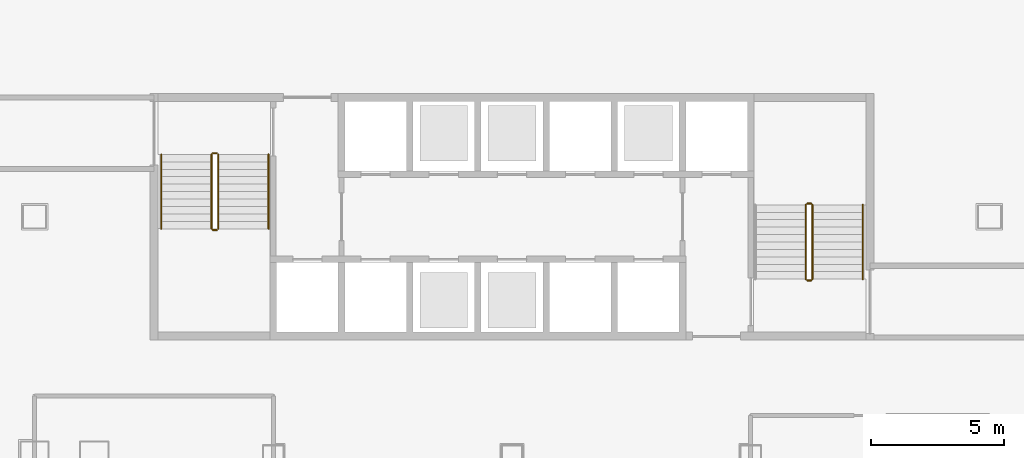
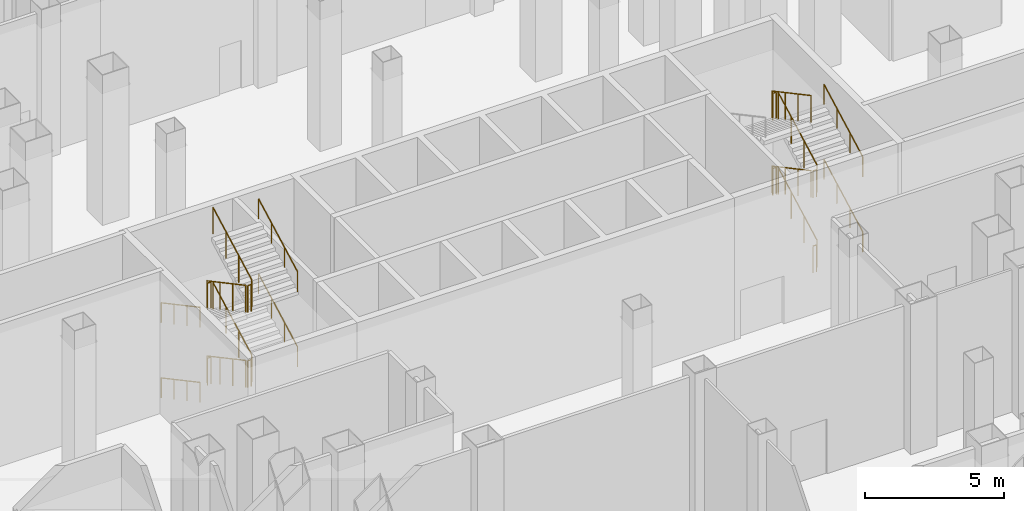
# One storey, part 33 of 38: 22 railings.
"""IFC4 building model written with IfcOpenShell, lengths in metres."""

from ifc_helpers import new_model, si_unit, direction, frame, origin, origin_2d, place, context, subcontext, project, spatial, circle, extrude, material, type_object, element, save


model = new_model("IFC4")

# Units and contexts
model_context = context("Model", 3, precision=1e-05, world=origin(), true_north=direction((0.0, 1.0)))
body_context = subcontext(model_context, "Body", "Model", "MODEL_VIEW")
ifc_project = project(units=[si_unit("LENGTHUNIT", "METRE"), si_unit("AREAUNIT", "SQUARE_METRE"), si_unit("VOLUMEUNIT", "CUBIC_METRE"), si_unit("PLANEANGLEUNIT", "RADIAN"), si_unit("MASSUNIT", "GRAM", prefix="KILO")], contexts=[model_context])

# Site, building, storey
site_placement = place(None, origin())
site = spatial("IfcSite", under=ifc_project, at=site_placement, CompositionType="ELEMENT")
building_placement = place(site_placement, origin())
building = spatial("IfcBuilding", under=site, at=building_placement, Name="Caravel Reach Hotel and Residences", CompositionType="ELEMENT")
storey_placement = place(building_placement, origin())
storey = spatial("IfcBuildingStorey", under=building, at=storey_placement, Name="L00", CompositionType="ELEMENT", Elevation=0.0)

# Railings
ifc_material_1 = material(Name="Steel balustrade with glass infill", Category="steel")
railing_type_1 = type_object("IfcRailingType", Name="Guard 1200", PredefinedType="GUARDRAIL", material=ifc_material_1)
railing_1_placement = place(storey_placement, frame((20.175048828125, 29.35009765625, 0.14990234375)))
element("IfcRailing", 1, at=railing_1_placement, inside=storey, type_object=railing_type_1, Name="L00 ST-A stair guard 1", PredefinedType="GUARDRAIL", context=body_context, shape_type="SweptSolid", body=[
    extrude(circle(Radius=0.02392578125, at=origin_2d()), frame((0.0, 0.0, 1.17578125), z_axis=(0.0, -0.881483397762, 0.472215014025), x_axis=(1.0, 0.0, 0.0)), (0.0, 0.0, 1.0), 3.176513671875),
    extrude(circle(Radius=0.02099609375, at=origin_2d()), origin(), (0.0, 0.0, 1.0), 1.15185546875),
    extrude(circle(Radius=0.02099609375, at=origin_2d()), frame((0.0, -0.933349609375, 0.5)), (0.0, 0.0, 1.0), 1.15185546875),
    extrude(circle(Radius=0.02099609375, at=origin_2d()), frame((0.0, -1.86669921875, 1.0)), (0.0, 0.0, 1.0), 1.15185546875),
    extrude(circle(Radius=0.02099609375, at=origin_2d()), frame((0.0, -2.800048828125, 1.5)), (0.0, 0.0, 1.0), 1.15185546875),
])
railing_2_placement = place(storey_placement, frame((20.22509765625, 26.5, 1.64990234375)))
element("IfcRailing", 2, at=railing_2_placement, inside=storey, type_object=railing_type_1, Name="L00 ST-A stair guard 2", PredefinedType="GUARDRAIL", context=body_context, shape_type="SweptSolid", body=[
    extrude(circle(Radius=0.02392578125, at=origin_2d()), frame((0.0, 0.0, 1.17578125), z_axis=(1.0, 0.0, 0.0), x_axis=(0.0, 1.0, 0.0)), (0.0, 0.0, 1.0), 0.14990234375),
    extrude(circle(Radius=0.02099609375, at=origin_2d()), origin(), (0.0, 0.0, 1.0), 1.15185546875),
    extrude(circle(Radius=0.02099609375, at=origin_2d()), frame((0.14990234375, 0.0, 0.0)), (0.0, 0.0, 1.0), 1.15185546875),
])
railing_3_placement = place(storey_placement, frame((20.425048828125, 26.550048828125, 1.800048828125)))
element("IfcRailing", 3, at=railing_3_placement, inside=storey, type_object=railing_type_1, Name="L00 ST-A stair guard 3", PredefinedType="GUARDRAIL", context=body_context, shape_type="SweptSolid", body=[
    extrude(circle(Radius=0.02392578125, at=origin_2d()), frame((0.0, 0.0, 1.17578125), z_axis=(0.0, 0.881483397762, 0.472215014025), x_axis=(-1.0, 0.0, 0.0)), (0.0, 0.0, 1.0), 3.176513671875),
    extrude(circle(Radius=0.02099609375, at=origin_2d()), origin(), (0.0, 0.0, 1.0), 1.15185546875),
    extrude(circle(Radius=0.02099609375, at=origin_2d()), frame((0.0, 0.933349609375, 0.5)), (0.0, 0.0, 1.0), 1.15185546875),
    extrude(circle(Radius=0.02099609375, at=origin_2d()), frame((0.0, 1.86669921875, 1.0)), (0.0, 0.0, 1.0), 1.15185546875),
    extrude(circle(Radius=0.02099609375, at=origin_2d()), frame((0.0, 2.800048828125, 1.5)), (0.0, 0.0, 1.0), 1.15185546875),
])
railing_4_placement = place(storey_placement, frame((20.22509765625, 29.39990234375, 3.300048828125)))
element("IfcRailing", 4, at=railing_4_placement, inside=storey, type_object=railing_type_1, Name="L00 ST-A stair guard 4", PredefinedType="GUARDRAIL", context=body_context, shape_type="SweptSolid", body=[
    extrude(circle(Radius=0.02392578125, at=origin_2d()), frame((0.0, 0.0, 1.17578125), z_axis=(1.0, 0.0, 0.0), x_axis=(0.0, 1.0, 0.0)), (0.0, 0.0, 1.0), 0.14990234375),
    extrude(circle(Radius=0.02099609375, at=origin_2d()), origin(), (0.0, 0.0, 1.0), 1.15185546875),
    extrude(circle(Radius=0.02099609375, at=origin_2d()), frame((0.14990234375, 0.0, 0.0)), (0.0, 0.0, 1.0), 1.15185546875),
])
railing_5_placement = place(storey_placement, frame((20.175048828125, 29.35009765625, 3.449951171875)))
element("IfcRailing", 5, at=railing_5_placement, inside=storey, type_object=railing_type_1, Name="L00 ST-A stair guard 5", PredefinedType="GUARDRAIL", context=body_context, shape_type="SweptSolid", body=[
    extrude(circle(Radius=0.02392578125, at=origin_2d()), frame((0.0, 0.0, 1.17578125), z_axis=(0.0, -0.881483397762, 0.472215014025), x_axis=(1.0, 0.0, 0.0)), (0.0, 0.0, 1.0), 3.176513671875),
    extrude(circle(Radius=0.02099609375, at=origin_2d()), origin(), (0.0, 0.0, 1.0), 1.15185546875),
    extrude(circle(Radius=0.02099609375, at=origin_2d()), frame((0.0, -0.933349609375, 0.5)), (0.0, 0.0, 1.0), 1.15185546875),
    extrude(circle(Radius=0.02099609375, at=origin_2d()), frame((0.0, -1.86669921875, 1.0)), (0.0, 0.0, 1.0), 1.15185546875),
    extrude(circle(Radius=0.02099609375, at=origin_2d()), frame((0.0, -2.800048828125, 1.5)), (0.0, 0.0, 1.0), 1.15185546875),
])
railing_6_placement = place(storey_placement, frame((20.22509765625, 26.5, 4.949951171875)))
element("IfcRailing", 6, at=railing_6_placement, inside=storey, type_object=railing_type_1, Name="L00 ST-A stair guard 6", PredefinedType="GUARDRAIL", context=body_context, shape_type="SweptSolid", body=[
    extrude(circle(Radius=0.02392578125, at=origin_2d()), frame((0.0, 0.0, 1.17578125), z_axis=(1.0, 0.0, 0.0), x_axis=(0.0, 1.0, 0.0)), (0.0, 0.0, 1.0), 0.14990234375),
    extrude(circle(Radius=0.02099609375, at=origin_2d()), origin(), (0.0, 0.0, 1.0), 1.15185546875),
    extrude(circle(Radius=0.02099609375, at=origin_2d()), frame((0.14990234375, 0.0, 0.0)), (0.0, 0.0, 1.0), 1.15185546875),
])
railing_7_placement = place(storey_placement, frame((20.425048828125, 26.550048828125, 5.10009765625)))
element("IfcRailing", 7, at=railing_7_placement, inside=storey, type_object=railing_type_1, Name="L00 ST-A stair guard 7", PredefinedType="GUARDRAIL", context=body_context, shape_type="SweptSolid", body=[
    extrude(circle(Radius=0.02392578125, at=origin_2d()), frame((0.0, 0.0, 1.17578125), z_axis=(0.0, 0.881483397762, 0.472215014025), x_axis=(-1.0, 0.0, 0.0)), (0.0, 0.0, 1.0), 3.176513671875),
    extrude(circle(Radius=0.02099609375, at=origin_2d()), origin(), (0.0, 0.0, 1.0), 1.15185546875),
    extrude(circle(Radius=0.02099609375, at=origin_2d()), frame((0.0, 0.933349609375, 0.5)), (0.0, 0.0, 1.0), 1.15185546875),
    extrude(circle(Radius=0.02099609375, at=origin_2d()), frame((0.0, 1.86669921875, 1.0)), (0.0, 0.0, 1.0), 1.15185546875),
    extrude(circle(Radius=0.02099609375, at=origin_2d()), frame((0.0, 2.800048828125, 1.5)), (0.0, 0.0, 1.0), 1.15185546875),
])
railing_8_placement = place(storey_placement, frame((20.22509765625, 29.39990234375, 0.0)))
element("IfcRailing", 8, at=railing_8_placement, inside=storey, type_object=railing_type_1, Name="L00 ST-A stair guard 8", PredefinedType="GUARDRAIL", context=body_context, shape_type="SweptSolid", body=[
    extrude(circle(Radius=0.02392578125, at=origin_2d()), frame((0.0, 0.0, 1.17578125), z_axis=(1.0, 0.0, 0.0), x_axis=(0.0, 1.0, 0.0)), (0.0, 0.0, 1.0), 0.14990234375),
    extrude(circle(Radius=0.02099609375, at=origin_2d()), origin(), (0.0, 0.0, 1.0), 1.15185546875),
    extrude(circle(Radius=0.02099609375, at=origin_2d()), frame((0.14990234375, 0.0, 0.0)), (0.0, 0.0, 1.0), 1.15185546875),
])
railing_9_placement = place(storey_placement, frame((42.824951171875, 24.64990234375, 0.14990234375)))
element("IfcRailing", 9, at=railing_9_placement, inside=storey, type_object=railing_type_1, Name="L00 ST-B stair guard 1", PredefinedType="GUARDRAIL", context=body_context, shape_type="SweptSolid", body=[
    extrude(circle(Radius=0.02392578125, at=origin_2d()), frame((0.0, 0.0, 1.17578125), z_axis=(0.0, 0.881483397762, 0.472215014025), x_axis=(-1.0, 0.0, 0.0)), (0.0, 0.0, 1.0), 3.176513671875),
    extrude(circle(Radius=0.02099609375, at=origin_2d()), origin(), (0.0, 0.0, 1.0), 1.15185546875),
    extrude(circle(Radius=0.02099609375, at=origin_2d()), frame((0.0, 0.933349609375, 0.5)), (0.0, 0.0, 1.0), 1.15185546875),
    extrude(circle(Radius=0.02099609375, at=origin_2d()), frame((0.0, 1.86669921875, 1.0)), (0.0, 0.0, 1.0), 1.15185546875),
    extrude(circle(Radius=0.02099609375, at=origin_2d()), frame((0.0, 2.800048828125, 1.5)), (0.0, 0.0, 1.0), 1.15185546875),
])
railing_10_placement = place(storey_placement, frame((42.77490234375, 27.5, 1.64990234375)))
element("IfcRailing", 10, at=railing_10_placement, inside=storey, type_object=railing_type_1, Name="L00 ST-B stair guard 2", PredefinedType="GUARDRAIL", context=body_context, shape_type="SweptSolid", body=[
    extrude(circle(Radius=0.02392578125, at=origin_2d()), frame((0.0, 0.0, 1.17578125), z_axis=(-1.0, 0.0, 0.0), x_axis=(0.0, -1.0, 0.0)), (0.0, 0.0, 1.0), 0.14990234375),
    extrude(circle(Radius=0.02099609375, at=origin_2d()), origin(), (0.0, 0.0, 1.0), 1.15185546875),
    extrude(circle(Radius=0.02099609375, at=origin_2d()), frame((-0.14990234375, 0.0, 0.0)), (0.0, 0.0, 1.0), 1.15185546875),
])
railing_11_placement = place(storey_placement, frame((42.574951171875, 27.449951171875, 1.800048828125)))
element("IfcRailing", 11, at=railing_11_placement, inside=storey, type_object=railing_type_1, Name="L00 ST-B stair guard 3", PredefinedType="GUARDRAIL", context=body_context, shape_type="SweptSolid", body=[
    extrude(circle(Radius=0.02392578125, at=origin_2d()), frame((0.0, 0.0, 1.17578125), z_axis=(0.0, -0.881483397762, 0.472215014025), x_axis=(1.0, 0.0, 0.0)), (0.0, 0.0, 1.0), 3.176513671875),
    extrude(circle(Radius=0.02099609375, at=origin_2d()), origin(), (0.0, 0.0, 1.0), 1.15185546875),
    extrude(circle(Radius=0.02099609375, at=origin_2d()), frame((0.0, -0.933349609375, 0.5)), (0.0, 0.0, 1.0), 1.15185546875),
    extrude(circle(Radius=0.02099609375, at=origin_2d()), frame((0.0, -1.86669921875, 1.0)), (0.0, 0.0, 1.0), 1.15185546875),
    extrude(circle(Radius=0.02099609375, at=origin_2d()), frame((0.0, -2.800048828125, 1.5)), (0.0, 0.0, 1.0), 1.15185546875),
])
railing_12_placement = place(storey_placement, frame((42.77490234375, 24.60009765625, 3.300048828125)))
element("IfcRailing", 12, at=railing_12_placement, inside=storey, type_object=railing_type_1, Name="L00 ST-B stair guard 4", PredefinedType="GUARDRAIL", context=body_context, shape_type="SweptSolid", body=[
    extrude(circle(Radius=0.02392578125, at=origin_2d()), frame((0.0, 0.0, 1.17578125), z_axis=(-1.0, 0.0, 0.0), x_axis=(0.0, -1.0, 0.0)), (0.0, 0.0, 1.0), 0.14990234375),
    extrude(circle(Radius=0.02099609375, at=origin_2d()), origin(), (0.0, 0.0, 1.0), 1.15185546875),
    extrude(circle(Radius=0.02099609375, at=origin_2d()), frame((-0.14990234375, 0.0, 0.0)), (0.0, 0.0, 1.0), 1.15185546875),
])
railing_13_placement = place(storey_placement, frame((42.824951171875, 24.64990234375, 3.449951171875)))
element("IfcRailing", 13, at=railing_13_placement, inside=storey, type_object=railing_type_1, Name="L00 ST-B stair guard 5", PredefinedType="GUARDRAIL", context=body_context, shape_type="SweptSolid", body=[
    extrude(circle(Radius=0.02392578125, at=origin_2d()), frame((0.0, 0.0, 1.17578125), z_axis=(0.0, 0.881483397762, 0.472215014025), x_axis=(-1.0, 0.0, 0.0)), (0.0, 0.0, 1.0), 3.176513671875),
    extrude(circle(Radius=0.02099609375, at=origin_2d()), origin(), (0.0, 0.0, 1.0), 1.15185546875),
    extrude(circle(Radius=0.02099609375, at=origin_2d()), frame((0.0, 0.933349609375, 0.5)), (0.0, 0.0, 1.0), 1.15185546875),
    extrude(circle(Radius=0.02099609375, at=origin_2d()), frame((0.0, 1.86669921875, 1.0)), (0.0, 0.0, 1.0), 1.15185546875),
    extrude(circle(Radius=0.02099609375, at=origin_2d()), frame((0.0, 2.800048828125, 1.5)), (0.0, 0.0, 1.0), 1.15185546875),
])
railing_14_placement = place(storey_placement, frame((42.77490234375, 27.5, 4.949951171875)))
element("IfcRailing", 14, at=railing_14_placement, inside=storey, type_object=railing_type_1, Name="L00 ST-B stair guard 6", PredefinedType="GUARDRAIL", context=body_context, shape_type="SweptSolid", body=[
    extrude(circle(Radius=0.02392578125, at=origin_2d()), frame((0.0, 0.0, 1.17578125), z_axis=(-1.0, 0.0, 0.0), x_axis=(0.0, -1.0, 0.0)), (0.0, 0.0, 1.0), 0.14990234375),
    extrude(circle(Radius=0.02099609375, at=origin_2d()), origin(), (0.0, 0.0, 1.0), 1.15185546875),
    extrude(circle(Radius=0.02099609375, at=origin_2d()), frame((-0.14990234375, 0.0, 0.0)), (0.0, 0.0, 1.0), 1.15185546875),
])
railing_15_placement = place(storey_placement, frame((42.574951171875, 27.449951171875, 5.10009765625)))
element("IfcRailing", 15, at=railing_15_placement, inside=storey, type_object=railing_type_1, Name="L00 ST-B stair guard 7", PredefinedType="GUARDRAIL", context=body_context, shape_type="SweptSolid", body=[
    extrude(circle(Radius=0.02392578125, at=origin_2d()), frame((0.0, 0.0, 1.17578125), z_axis=(0.0, -0.881483397762, 0.472215014025), x_axis=(1.0, 0.0, 0.0)), (0.0, 0.0, 1.0), 3.176513671875),
    extrude(circle(Radius=0.02099609375, at=origin_2d()), origin(), (0.0, 0.0, 1.0), 1.15185546875),
    extrude(circle(Radius=0.02099609375, at=origin_2d()), frame((0.0, -0.933349609375, 0.5)), (0.0, 0.0, 1.0), 1.15185546875),
    extrude(circle(Radius=0.02099609375, at=origin_2d()), frame((0.0, -1.86669921875, 1.0)), (0.0, 0.0, 1.0), 1.15185546875),
    extrude(circle(Radius=0.02099609375, at=origin_2d()), frame((0.0, -2.800048828125, 1.5)), (0.0, 0.0, 1.0), 1.15185546875),
])
railing_16_placement = place(storey_placement, frame((42.77490234375, 24.60009765625, 0.0)))
element("IfcRailing", 16, at=railing_16_placement, inside=storey, type_object=railing_type_1, Name="L00 ST-B stair guard 8", PredefinedType="GUARDRAIL", context=body_context, shape_type="SweptSolid", body=[
    extrude(circle(Radius=0.02392578125, at=origin_2d()), frame((0.0, 0.0, 1.17578125), z_axis=(-1.0, 0.0, 0.0), x_axis=(0.0, -1.0, 0.0)), (0.0, 0.0, 1.0), 0.14990234375),
    extrude(circle(Radius=0.02099609375, at=origin_2d()), origin(), (0.0, 0.0, 1.0), 1.15185546875),
    extrude(circle(Radius=0.02099609375, at=origin_2d()), frame((-0.14990234375, 0.0, 0.0)), (0.0, 0.0, 1.0), 1.15185546875),
])
ifc_material_2 = material(Name="Stainless steel handrail", Category="steel")
railing_type_2 = type_object("IfcRailingType", Name="Handrail 900", PredefinedType="HANDRAIL", material=ifc_material_2)
railing_17_placement = place(storey_placement, frame((18.27490234375, 29.35009765625, 0.14990234375)))
element("IfcRailing", 17, at=railing_17_placement, inside=storey, type_object=railing_type_2, Name="L00 ST-A stair handrail 1", PredefinedType="HANDRAIL", context=body_context, shape_type="SweptSolid", body=[
    extrude(circle(Radius=0.02392578125, at=origin_2d()), frame((0.0, 0.0, 0.8759765625), z_axis=(0.0, -0.881483397762, 0.472215014025), x_axis=(1.0, 0.0, 0.0)), (0.0, 0.0, 1.0), 3.176513671875),
    extrude(circle(Radius=0.02099609375, at=origin_2d()), origin(), (0.0, 0.0, 1.0), 0.851806640625),
    extrude(circle(Radius=0.02099609375, at=origin_2d()), frame((0.0, -0.933349609375, 0.5)), (0.0, 0.0, 1.0), 0.851806640625),
    extrude(circle(Radius=0.02099609375, at=origin_2d()), frame((0.0, -1.86669921875, 1.0)), (0.0, 0.0, 1.0), 0.851806640625),
    extrude(circle(Radius=0.02099609375, at=origin_2d()), frame((0.0, -2.800048828125, 1.5)), (0.0, 0.0, 1.0), 0.851806640625),
])
railing_18_placement = place(storey_placement, frame((22.324951171875, 26.550048828125, 1.800048828125)))
element("IfcRailing", 18, at=railing_18_placement, inside=storey, type_object=railing_type_2, Name="L00 ST-A stair handrail 2", PredefinedType="HANDRAIL", context=body_context, shape_type="SweptSolid", body=[
    extrude(circle(Radius=0.02392578125, at=origin_2d()), frame((0.0, 0.0, 0.8759765625), z_axis=(0.0, 0.881483397762, 0.472215014025), x_axis=(-1.0, 0.0, 0.0)), (0.0, 0.0, 1.0), 3.176513671875),
    extrude(circle(Radius=0.02099609375, at=origin_2d()), origin(), (0.0, 0.0, 1.0), 0.851806640625),
    extrude(circle(Radius=0.02099609375, at=origin_2d()), frame((0.0, 0.933349609375, 0.5)), (0.0, 0.0, 1.0), 0.851806640625),
    extrude(circle(Radius=0.02099609375, at=origin_2d()), frame((0.0, 1.86669921875, 1.0)), (0.0, 0.0, 1.0), 0.851806640625),
    extrude(circle(Radius=0.02099609375, at=origin_2d()), frame((0.0, 2.800048828125, 1.5)), (0.0, 0.0, 1.0), 0.851806640625),
])
railing_19_placement = place(storey_placement, frame((18.27490234375, 29.35009765625, 3.449951171875)))
element("IfcRailing", 19, at=railing_19_placement, inside=storey, type_object=railing_type_2, Name="L00 ST-A stair handrail 3", PredefinedType="HANDRAIL", context=body_context, shape_type="SweptSolid", body=[
    extrude(circle(Radius=0.02392578125, at=origin_2d()), frame((0.0, 0.0, 0.8759765625), z_axis=(0.0, -0.881483397762, 0.472215014025), x_axis=(1.0, 0.0, 0.0)), (0.0, 0.0, 1.0), 3.176513671875),
    extrude(circle(Radius=0.02099609375, at=origin_2d()), origin(), (0.0, 0.0, 1.0), 0.851806640625),
    extrude(circle(Radius=0.02099609375, at=origin_2d()), frame((0.0, -0.933349609375, 0.5)), (0.0, 0.0, 1.0), 0.851806640625),
    extrude(circle(Radius=0.02099609375, at=origin_2d()), frame((0.0, -1.86669921875, 1.0)), (0.0, 0.0, 1.0), 0.851806640625),
    extrude(circle(Radius=0.02099609375, at=origin_2d()), frame((0.0, -2.800048828125, 1.5)), (0.0, 0.0, 1.0), 0.851806640625),
])
for number, where, name in (
    (20, (22.324951171875, 26.550048828125, 5.10009765625), "L00 ST-A stair handrail 4"),
    (21, (44.72509765625, 24.64990234375, 0.14990234375), "L00 ST-B stair handrail 1"),
    (22, (44.72509765625, 24.64990234375, 3.449951171875), "L00 ST-B stair handrail 3"),
):
    element("IfcRailing", number, at=place(storey_placement, frame(where)), inside=storey, type_object=railing_type_2, Name=name, PredefinedType="HANDRAIL", context=body_context, shape_type="SweptSolid", body=[
        extrude(circle(Radius=0.02392578125, at=origin_2d()), frame((0.0, 0.0, 0.8759765625), z_axis=(0.0, 0.881483397762, 0.472215014025), x_axis=(-1.0, 0.0, 0.0)), (0.0, 0.0, 1.0), 3.176513671875),
        extrude(circle(Radius=0.02099609375, at=origin_2d()), origin(), (0.0, 0.0, 1.0), 0.851806640625),
        extrude(circle(Radius=0.02099609375, at=origin_2d()), frame((0.0, 0.933349609375, 0.5)), (0.0, 0.0, 1.0), 0.851806640625),
        extrude(circle(Radius=0.02099609375, at=origin_2d()), frame((0.0, 1.86669921875, 1.0)), (0.0, 0.0, 1.0), 0.851806640625),
        extrude(circle(Radius=0.02099609375, at=origin_2d()), frame((0.0, 2.800048828125, 1.5)), (0.0, 0.0, 1.0), 0.851806640625),
    ])

save(model, "model.ifc")
